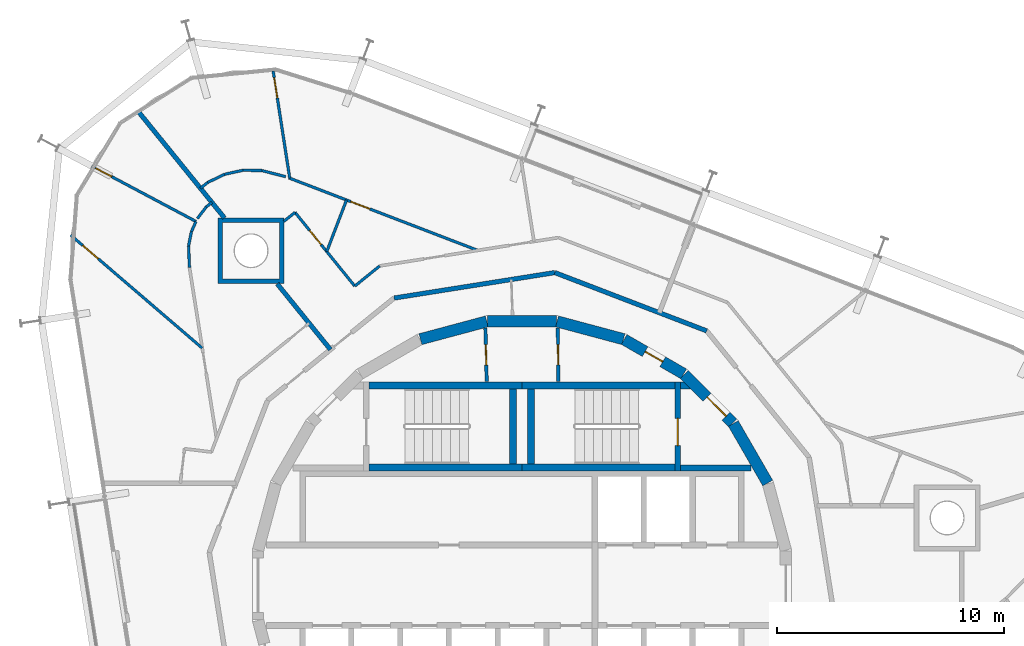
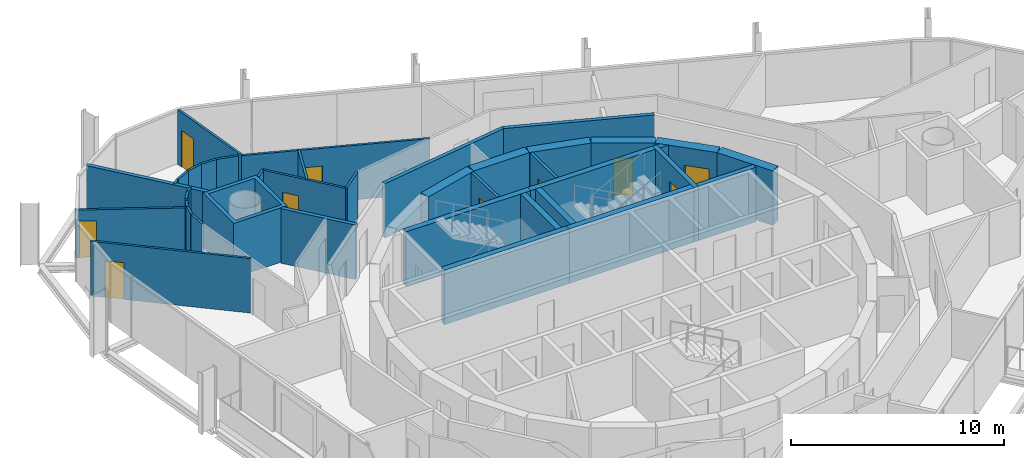
# One storey, part 15 of 17: 40 walls, 10 doors, 10 openings.
"""IFC4 building model written with IfcOpenShell, lengths in metres."""

from ifc_helpers import new_model, si_unit, direction, frame, frame_2d, origin, place, context, subcontext, project, spatial, polyline, rectangle, outline, extrude, material, layer, layer_set, type_object, element, fill, save


model = new_model("IFC4")

# Units and contexts
model_context = context("Model", 3, precision=1e-05, world=origin(), true_north=direction((0.0, 1.0)))
body_context = subcontext(model_context, "Body", "Model", "MODEL_VIEW")
ifc_project = project(units=[si_unit("LENGTHUNIT", "METRE"), si_unit("AREAUNIT", "SQUARE_METRE"), si_unit("VOLUMEUNIT", "CUBIC_METRE"), si_unit("PLANEANGLEUNIT", "RADIAN"), si_unit("MASSUNIT", "GRAM", prefix="KILO")], contexts=[model_context])

# Site, building, storey
site_placement = place(None, origin())
site = spatial("IfcSite", under=ifc_project, at=site_placement, CompositionType="ELEMENT")
building_placement = place(site_placement, origin())
building = spatial("IfcBuilding", under=site, at=building_placement, Name="Spindle Arch Residences", CompositionType="ELEMENT")
storey_placement = place(building_placement, frame((0.0, 0.0, 270.39990234375)))
storey = spatial("IfcBuildingStorey", under=building, at=storey_placement, Name="L69", CompositionType="ELEMENT", Elevation=270.39990234375)

# Wall
ifc_material_1 = material(Name="Concrete C50/60", Category="concrete")
ifc_layer_1 = layer(ifc_material_1, 0.5)
ifc_layer_set_1 = layer_set([ifc_layer_1], Name="Core outline wall 500")
wall_type_1 = type_object("IfcWallType", Name="Core outline wall 500", PredefinedType="SHEAR", material=ifc_layer_set_1)
wall_1_placement = place(storey_placement, frame((10.84521484375, 4.510498046875, 0.0), z_axis=(0.0, 0.0, 1.0), x_axis=(-0.500087131594, 0.865975092491, 0.0)))
element("IfcWall", 1, at=wall_1_placement, inside=storey, type_object=wall_type_1, Name="Core outline wall 8", PredefinedType="SHEAR", context=body_context, shape_type="SweptSolid", body=[
    extrude(rectangle(XDim=3.03271484375, YDim=0.5, at=frame_2d((1.516357421875, 0.0))), origin(), (0.0, 0.0, 1.0), 3.1201171875),
])

# Wall, opening, door
wall_2_placement = place(storey_placement, frame((9.30810546875, 7.163818359375, 0.0), z_axis=(0.0, 0.0, 1.0), x_axis=(-0.707106781187, 0.707106781187, 0.0)))
wall_2 = element("IfcWall", 2, at=wall_2_placement, inside=storey, type_object=wall_type_1, Name="Core outline wall 9", PredefinedType="SHEAR", context=body_context, shape_type="SweptSolid", body=[
    extrude(rectangle(XDim=3.032470703125, YDim=0.5, at=frame_2d((1.51611328125, 0.0))), origin(), (0.0, 0.0, 1.0), 3.1201171875),
])
opening_1_placement = place(wall_2_placement, frame((0.416259765625, 0.0, 0.0)))
opening_1 = element("IfcOpeningElement", 3, at=opening_1_placement, cuts=wall_2, Name="Opening R7A0-AD01", PredefinedType="OPENING", context=body_context, shape_type="SweptSolid", body=[
    extrude(rectangle(XDim=1.199951171875, YDim=2.10009765625, at=frame_2d((0.60009765625, 1.050048828125))), frame((0.0, 0.260009765625, 0.0), z_axis=(0.0, -1.0, 0.0), x_axis=(1.0, 0.0, 0.0)), (0.0, 0.0, 1.0), 0.52001953125),
])
ifc_material_2 = material(Name="Steel, fire-resisting door", Category="steel")
door_type_1 = type_object("IfcDoorType", Name="Stair airlock door 1200x2100", OperationType="SINGLE_SWING_LEFT", PredefinedType="DOOR", material=ifc_material_2)
door_1_placement = place(opening_1_placement, origin())
door_1 = element("IfcDoor", 4, at=door_1_placement, inside=storey, type_object=door_type_1, Name="Stair airlock door R7A0-AD01", OperationType="SINGLE_SWING_RIGHT", OverallHeight=2.10009765625, OverallWidth=1.199951171875, PredefinedType="DOOR", context=body_context, shape_type="SweptSolid", body=[
    extrude(rectangle(XDim=1.199951171875, YDim=2.10009765625, at=frame_2d((0.60009765625, 1.050048828125))), frame((0.0, 0.02490234375, 0.0), z_axis=(0.0, -1.0, 0.0), x_axis=(1.0, 0.0, 0.0)), (0.0, 0.0, 1.0), 0.050048828125),
])
fill(opening_1, door_1)

wall_3_placement = place(storey_placement, frame((7.13671875, 9.32861328125, 0.0), z_axis=(0.0, 0.0, 1.0), x_axis=(-0.865975092491, 0.500087131594, 0.0)))
wall_3 = element("IfcWall", 5, at=wall_3_placement, inside=storey, type_object=wall_type_1, Name="Core outline wall 10", PredefinedType="SHEAR", context=body_context, shape_type="SweptSolid", body=[
    extrude(rectangle(XDim=3.03271484375, YDim=0.5, at=frame_2d((1.516357421875, 0.0))), origin(), (0.0, 0.0, 1.0), 3.1201171875),
])
opening_2_placement = place(wall_3_placement, frame((1.06640625, 0.0, 0.0)))
opening_2 = element("IfcOpeningElement", 6, at=opening_2_placement, cuts=wall_3, Name="Opening R7A0-WD09", PredefinedType="OPENING", context=body_context, shape_type="SweptSolid", body=[
    extrude(rectangle(XDim=0.89990234375, YDim=2.10009765625, at=frame_2d((0.449951171875, 1.050048828125))), frame((0.0, 0.260009765625, 0.0), z_axis=(0.0, -1.0, 0.0), x_axis=(1.0, 0.0, 0.0)), (0.0, 0.0, 1.0), 0.52001953125),
])
ifc_material_3 = material(Name="Steel, fire-resisting door", Category="steel")
door_type_2 = type_object("IfcDoorType", Name="Service room door 900x2100", OperationType="SINGLE_SWING_LEFT", PredefinedType="DOOR", material=ifc_material_3)
door_2_placement = place(opening_2_placement, origin())
door_2 = element("IfcDoor", 7, at=door_2_placement, inside=storey, type_object=door_type_2, Name="Service room door R7A0-WD09", OperationType="SINGLE_SWING_LEFT", OverallHeight=2.10009765625, OverallWidth=0.89990234375, PredefinedType="DOOR", context=body_context, shape_type="SweptSolid", body=[
    extrude(rectangle(XDim=0.89990234375, YDim=2.10009765625, at=frame_2d((0.449951171875, 1.050048828125))), frame((0.0, 0.02490234375, 0.0), z_axis=(0.0, -1.0, 0.0), x_axis=(1.0, 0.0, 0.0)), (0.0, 0.0, 1.0), 0.050048828125),
])
fill(opening_2, door_2)

# Walls
for number, where, z_axis, x_axis, name in (
    (8, (4.479248046875, 10.858154296875, 0.0), (0.0, 0.0, 1.0), (-0.965948410781, 0.258734743916, 0.0), "Core outline wall 11"),
    (9, (1.516357421875, 11.647216796875, 0.0), (0.0, 0.0, 1.0), (-1.0, 0.0, 0.0), "Core outline wall 12"),
    (10, (-1.5498046875, 11.642822265625, 0.0), (0.0, 0.0, 1.0), (-0.965948410781, -0.258734743916, 0.0), "Core outline wall 13"),
):
    element("IfcWall", number, at=place(storey_placement, frame(where, z_axis=z_axis, x_axis=x_axis)), inside=storey, type_object=wall_type_1, Name=name, PredefinedType="SHEAR", context=body_context, shape_type="SweptSolid", body=[
        extrude(rectangle(XDim=3.03271484375, YDim=0.5, at=frame_2d((1.516357421875, 0.0))), origin(), (0.0, 0.0, 1.0), 3.1201171875),
    ])
ifc_material_4 = material(Name="Calcium silicate block, plastered")
ifc_layer_2 = layer(ifc_material_4, 0.199951171875)
ifc_layer_set_2 = layer_set([ifc_layer_2], Name="Corridor wall 200")
wall_type_2 = type_object("IfcWallType", Name="Corridor wall 200", PredefinedType="STANDARD", material=ifc_layer_set_2)
wall_4_placement = place(storey_placement, frame((8.154296875, 11.223388671875, 0.0), z_axis=(0.0, 0.0, 1.0), x_axis=(-0.93359073609, 0.358341090983, 0.0)))
element("IfcWall", 11, at=wall_4_placement, inside=storey, type_object=wall_type_2, Name="Corridor wall R7A0-W007", PredefinedType="STANDARD", context=body_context, shape_type="SweptSolid", body=[
    extrude(rectangle(XDim=7.180908203125, YDim=0.199951171875, at=frame_2d((3.59033203125, 0.0))), origin(), (0.0, 0.0, 1.0), 3.1201171875),
])
wall_5_placement = place(storey_placement, frame((1.4501953125, 13.796630859375, 0.0), z_axis=(0.0, 0.0, 1.0), x_axis=(-0.987690361611, -0.156421704315, 0.0)))
element("IfcWall", 12, at=wall_5_placement, inside=storey, type_object=wall_type_2, Name="Corridor wall R7A0-W008", PredefinedType="STANDARD", context=body_context, shape_type="SweptSolid", body=[
    extrude(rectangle(XDim=7.18115234375, YDim=0.199951171875, at=frame_2d((3.590576171875, 0.0))), origin(), (0.0, 0.0, 1.0), 3.1201171875),
])
ifc_material_5 = material(Name="Plasterboard on steel studs", Category="steel")
ifc_layer_3 = layer(ifc_material_5, 0.1201171875)
ifc_layer_set_3 = layer_set([ifc_layer_3], Name="Flat partition 120")
wall_type_3 = type_object("IfcWallType", Name="Flat partition 120", PredefinedType="PARTITIONING", material=ifc_layer_set_3)
wall_6_placement = place(storey_placement, frame((-6.274169921875, 14.092041015625, 0.0), z_axis=(0.0, 0.0, 1.0), x_axis=(-0.777144673245, -0.629321981855, 0.0)))
element("IfcWall", 13, at=wall_6_placement, inside=storey, type_object=wall_type_3, Name="Flat partition R7A0-W039", PredefinedType="PARTITIONING", context=body_context, shape_type="SweptSolid", body=[
    extrude(rectangle(XDim=1.418701171875, YDim=0.1201171875, at=frame_2d((0.70947265625, 0.0))), origin(), (0.0, 0.0, 1.0), 3.1201171875),
])

# Wall, opening, door
wall_7_placement = place(storey_placement, frame((-7.376708984375, 13.19921875, 0.0), z_axis=(0.0, 0.0, 1.0), x_axis=(-0.629382670352, 0.77709552454, 0.0)))
wall_7 = element("IfcWall", 14, at=wall_7_placement, inside=storey, type_object=wall_type_3, Name="Flat partition R7A0-W040", PredefinedType="PARTITIONING", context=body_context, shape_type="SweptSolid", body=[
    extrude(rectangle(XDim=4.188232421875, YDim=0.1201171875, at=frame_2d((2.09423828125, 0.0))), origin(), (0.0, 0.0, 1.0), 3.1201171875),
])
opening_3_placement = place(wall_7_placement, frame((2.364013671875, 0.0, 0.0)))
opening_3 = element("IfcOpeningElement", 15, at=opening_3_placement, cuts=wall_7, Name="Opening R7A0-BD02", PredefinedType="OPENING", context=body_context, shape_type="SweptSolid", body=[
    extrude(rectangle(XDim=0.800048828125, YDim=2.10009765625, at=frame_2d((0.39990234375, 1.050048828125))), frame((0.0, 0.070068359375, 0.0), z_axis=(0.0, -1.0, 0.0), x_axis=(1.0, 0.0, 0.0)), (0.0, 0.0, 1.0), 0.14013671875),
])
ifc_material_6 = material(Name="Timber door set", Category="wood")
door_type_3 = type_object("IfcDoorType", Name="Bathroom door 800x2100", OperationType="NOTDEFINED", PredefinedType="DOOR", material=ifc_material_6)
door_3_placement = place(opening_3_placement, origin())
door_3 = element("IfcDoor", 16, at=door_3_placement, inside=storey, type_object=door_type_3, Name="Bathroom door R7A0-BD02", OperationType="SINGLE_SWING_RIGHT", OverallHeight=2.10009765625, OverallWidth=0.800048828125, PredefinedType="DOOR", context=body_context, shape_type="SweptSolid", body=[
    extrude(rectangle(XDim=0.800048828125, YDim=2.10009765625, at=frame_2d((0.39990234375, 1.050048828125))), frame((0.0, 0.02490234375, 0.0), z_axis=(0.0, -1.0, 0.0), x_axis=(1.0, 0.0, 0.0)), (0.0, 0.0, 1.0), 0.050048828125),
])
fill(opening_3, door_3)

# Wall
wall_8_placement = place(storey_placement, frame((-10.0126953125, 16.453857421875, 0.0), z_axis=(0.0, 0.0, 1.0), x_axis=(-0.777001388062, -0.629498882406, 0.0)))
element("IfcWall", 17, at=wall_8_placement, inside=storey, type_object=wall_type_3, Name="Flat partition R7A0-W041", PredefinedType="PARTITIONING", context=body_context, shape_type="SweptSolid", body=[
    extrude(rectangle(XDim=0.630615234375, YDim=0.1201171875, at=frame_2d((0.3154296875, 0.0))), origin(), (0.0, 0.0, 1.0), 3.1201171875),
])

# Wall, opening, door
wall_9_placement = place(storey_placement, frame((-10.288818359375, 17.977783203125, 0.0), z_axis=(0.0, 0.0, 1.0), x_axis=(0.933579293595, -0.358370900844, 0.0)))
wall_9 = element("IfcWall", 18, at=wall_9_placement, inside=storey, type_object=wall_type_3, Name="Flat partition R7A0-W043", PredefinedType="PARTITIONING", context=body_context, shape_type="SweptSolid", body=[
    extrude(rectangle(XDim=8.931884765625, YDim=0.1201171875, at=frame_2d((4.4658203125, 0.0))), origin(), (0.0, 0.0, 1.0), 3.1201171875),
])
opening_4_placement = place(wall_9_placement, frame((2.93017578125, 0.0, 0.0)))
opening_4 = element("IfcOpeningElement", 19, at=opening_4_placement, cuts=wall_9, Name="Opening R7A0-ID09", PredefinedType="OPENING", context=body_context, shape_type="SweptSolid", body=[
    extrude(rectangle(XDim=0.89990234375, YDim=2.10009765625, at=frame_2d((0.449951171875, 1.050048828125))), frame((0.0, 0.070068359375, 0.0), z_axis=(0.0, -1.0, 0.0), x_axis=(1.0, 0.0, 0.0)), (0.0, 0.0, 1.0), 0.14013671875),
])
ifc_material_7 = material(Name="Timber door set", Category="wood")
door_type_4 = type_object("IfcDoorType", Name="Room door 900x2100", OperationType="NOTDEFINED", PredefinedType="DOOR", material=ifc_material_7)
door_4_placement = place(opening_4_placement, origin())
door_4 = element("IfcDoor", 20, at=door_4_placement, inside=storey, type_object=door_type_4, Name="Room door R7A0-ID09", OperationType="SINGLE_SWING_LEFT", OverallHeight=2.10009765625, OverallWidth=0.89990234375, PredefinedType="DOOR", context=body_context, shape_type="SweptSolid", body=[
    extrude(rectangle(XDim=0.89990234375, YDim=2.10009765625, at=frame_2d((0.449951171875, 1.050048828125))), frame((0.0, 0.02490234375, 0.0), z_axis=(0.0, -1.0, 0.0), x_axis=(1.0, 0.0, 0.0)), (0.0, 0.0, 1.0), 0.050048828125),
])
fill(opening_4, door_4)

wall_10_placement = place(storey_placement, frame((-10.977294921875, 22.690673828125, 0.0), z_axis=(0.0, 0.0, 1.0), x_axis=(0.152888983102, -0.988243370252, 0.0)))
wall_10 = element("IfcWall", 21, at=wall_10_placement, inside=storey, type_object=wall_type_3, Name="Flat partition R7A0-W044", PredefinedType="PARTITIONING", context=body_context, shape_type="SweptSolid", body=[
    extrude(rectangle(XDim=4.78564453125, YDim=0.1201171875, at=frame_2d((2.392822265625, 0.0))), origin(), (0.0, 0.0, 1.0), 3.1201171875),
])
opening_5_placement = place(wall_10_placement, frame((0.300048828125, 0.0, 0.0)))
opening_5 = element("IfcOpeningElement", 22, at=opening_5_placement, cuts=wall_10, Name="Opening R7A0-ID08", PredefinedType="OPENING", context=body_context, shape_type="SweptSolid", body=[
    extrude(rectangle(XDim=0.89990234375, YDim=2.10009765625, at=frame_2d((0.449951171875, 1.050048828125))), frame((0.0, 0.070068359375, 0.0), z_axis=(0.0, -1.0, 0.0), x_axis=(1.0, 0.0, 0.0)), (0.0, 0.0, 1.0), 0.14013671875),
])
door_5_placement = place(opening_5_placement, origin())
door_5 = element("IfcDoor", 23, at=door_5_placement, inside=storey, type_object=door_type_4, Name="Room door R7A0-ID08", OperationType="SINGLE_SWING_RIGHT", OverallHeight=2.10009765625, OverallWidth=0.89990234375, PredefinedType="DOOR", context=body_context, shape_type="SweptSolid", body=[
    extrude(rectangle(XDim=0.89990234375, YDim=2.10009765625, at=frame_2d((0.449951171875, 1.050048828125))), frame((0.0, 0.02490234375, 0.0), z_axis=(0.0, -1.0, 0.0), x_axis=(1.0, 0.0, 0.0)), (0.0, 0.0, 1.0), 0.050048828125),
])
fill(opening_5, door_5)

# Walls
wall_11_placement = place(storey_placement, frame((-7.73974609375, 16.99951171875, 0.0), z_axis=(0.0, 0.0, 1.0), x_axis=(-0.358394723652, -0.93357014844, 0.0)))
element("IfcWall", 24, at=wall_11_placement, inside=storey, type_object=wall_type_3, Name="Flat partition R7A0-W045", PredefinedType="PARTITIONING", context=body_context, shape_type="SweptSolid", body=[
    extrude(rectangle(XDim=2.43603515625, YDim=0.1201171875, at=frame_2d((1.218017578125, 0.0))), origin(), (0.0, 0.0, 1.0), 3.1201171875),
])
wall_12_placement = place(storey_placement, frame((-10.423583984375, 18.029541015625, 0.0), z_axis=(0.0, 0.0, 1.0), x_axis=(-0.968874161395, 0.247553750489, 0.0)))
element("IfcWall", 25, at=wall_12_placement, inside=storey, type_object=wall_type_3, Name="Flat partition R7A0-W046", PredefinedType="PARTITIONING", context=body_context, shape_type="SweptSolid", body=[
    extrude(rectangle(XDim=1.0869140625, YDim=0.1201171875, at=frame_2d((0.54345703125, 0.0))), origin(), (0.0, 0.0, 1.0), 3.1201171875),
])
wall_13_placement = place(storey_placement, frame((-11.4765625, 18.298583984375, 0.0), z_axis=(0.0, 0.0, 1.0), x_axis=(-0.999848939146, 0.017380992165, 0.0)))
element("IfcWall", 26, at=wall_13_placement, inside=storey, type_object=wall_type_3, Name="Flat partition R7A0-W047", PredefinedType="PARTITIONING", context=body_context, shape_type="SweptSolid", body=[
    extrude(rectangle(XDim=0.828857421875, YDim=0.1201171875, at=frame_2d((0.41455078125, 0.0))), origin(), (0.0, 0.0, 1.0), 3.1201171875),
])
wall_14_placement = place(storey_placement, frame((-12.30517578125, 18.31298828125, 0.0), z_axis=(0.0, 0.0, 1.0), x_axis=(-0.976949932909, -0.21346856581, 0.0)))
element("IfcWall", 27, at=wall_14_placement, inside=storey, type_object=wall_type_3, Name="Flat partition R7A0-W048", PredefinedType="PARTITIONING", context=body_context, shape_type="SweptSolid", body=[
    extrude(rectangle(XDim=0.8291015625, YDim=0.1201171875, at=frame_2d((0.41455078125, 0.0))), origin(), (0.0, 0.0, 1.0), 3.1201171875),
])
wall_15_placement = place(storey_placement, frame((-13.115234375, 18.135986328125, 0.0), z_axis=(0.0, 0.0, 1.0), x_axis=(-0.901385111422, -0.43301833784, 0.0)))
element("IfcWall", 28, at=wall_15_placement, inside=storey, type_object=wall_type_3, Name="Flat partition R7A0-W049", PredefinedType="PARTITIONING", context=body_context, shape_type="SweptSolid", body=[
    extrude(rectangle(XDim=0.828857421875, YDim=0.1201171875, at=frame_2d((0.41455078125, 0.0))), origin(), (0.0, 0.0, 1.0), 3.1201171875),
])
wall_16_placement = place(storey_placement, frame((-13.8623046875, 17.777099609375, 0.0), z_axis=(0.0, 0.0, 1.0), x_axis=(-0.776888119785, -0.629638665694, 0.0)))
element("IfcWall", 29, at=wall_16_placement, inside=storey, type_object=wall_type_3, Name="Flat partition R7A0-W050", PredefinedType="PARTITIONING", context=body_context, shape_type="SweptSolid", body=[
    extrude(rectangle(XDim=0.41455078125, YDim=0.1201171875, at=frame_2d((0.207275390625, 0.0))), origin(), (0.0, 0.0, 1.0), 3.1201171875),
])
wall_17_placement = place(storey_placement, frame((-14.322509765625, 16.184326171875, 0.0), z_axis=(0.0, 0.0, 1.0), x_axis=(0.611198506308, 0.791477343887, 0.0)))
element("IfcWall", 30, at=wall_17_placement, inside=storey, type_object=wall_type_3, Name="Flat partition R7A0-W055", PredefinedType="PARTITIONING", context=body_context, shape_type="SweptSolid", body=[
    extrude(rectangle(XDim=0.641845703125, YDim=0.1201171875, at=frame_2d((0.32080078125, 0.0))), origin(), (0.0, 0.0, 1.0), 3.1201171875),
])
wall_18_placement = place(storey_placement, frame((-13.93017578125, 16.6923828125, 0.0), z_axis=(0.0, 0.0, 1.0), x_axis=(0.776695397137, 0.62987638475, 0.0)))
element("IfcWall", 31, at=wall_18_placement, inside=storey, type_object=wall_type_3, Name="Flat partition R7A0-W056", PredefinedType="PARTITIONING", context=body_context, shape_type="SweptSolid", body=[
    extrude(rectangle(XDim=0.321044921875, YDim=0.1201171875, at=frame_2d((0.16064453125, 0.0))), origin(), (0.0, 0.0, 1.0), 3.1201171875),
])
wall_19_placement = place(storey_placement, frame((-14.382080078125, 16.052490234375, 0.0), z_axis=(0.0, 0.0, 1.0), x_axis=(-0.412099912529, -0.911138662385, 0.0)))
element("IfcWall", 32, at=wall_19_placement, inside=storey, type_object=wall_type_3, Name="Flat partition R7A0-W058", PredefinedType="PARTITIONING", context=body_context, shape_type="SweptSolid", body=[
    extrude(rectangle(XDim=0.4970703125, YDim=0.1201171875, at=frame_2d((0.24853515625, 0.0))), origin(), (0.0, 0.0, 1.0), 3.1201171875),
])
wall_20_placement = place(storey_placement, frame((-14.5869140625, 15.599609375, 0.0), z_axis=(0.0, 0.0, 1.0), x_axis=(-0.190920556667, -0.98160549155, 0.0)))
element("IfcWall", 33, at=wall_20_placement, inside=storey, type_object=wall_type_3, Name="Flat partition R7A0-W059", PredefinedType="PARTITIONING", context=body_context, shape_type="SweptSolid", body=[
    extrude(rectangle(XDim=0.641845703125, YDim=0.1201171875, at=frame_2d((0.32080078125, 0.0))), origin(), (0.0, 0.0, 1.0), 3.1201171875),
])
wall_21_placement = place(storey_placement, frame((-14.70947265625, 14.969482421875, 0.0), z_axis=(0.0, 0.0, 1.0), x_axis=(0.040729848009, -0.999170195453, 0.0)))
element("IfcWall", 34, at=wall_21_placement, inside=storey, type_object=wall_type_3, Name="Flat partition R7A0-W060", PredefinedType="PARTITIONING", context=body_context, shape_type="SweptSolid", body=[
    extrude(rectangle(XDim=0.947021484375, YDim=0.1201171875, at=frame_2d((0.4736328125, 0.0))), origin(), (0.0, 0.0, 1.0), 3.1201171875),
])

# Wall, opening, door
wall_22_placement = place(storey_placement, frame((-19.9130859375, 15.450927734375, 0.0), z_axis=(0.0, 0.0, 1.0), x_axis=(0.758623462992, -0.6515293097, 0.0)))
wall_22 = element("IfcWall", 35, at=wall_22_placement, inside=storey, type_object=wall_type_3, Name="Flat partition R7A0-W062", PredefinedType="PARTITIONING", context=body_context, shape_type="SweptSolid", body=[
    extrude(rectangle(XDim=7.65283203125, YDim=0.1201171875, at=frame_2d((3.826416015625, 0.0))), origin(), (0.0, 0.0, 1.0), 3.1201171875),
])
opening_6_placement = place(wall_22_placement, frame((0.699951171875, 0.0, 0.0)))
opening_6 = element("IfcOpeningElement", 36, at=opening_6_placement, cuts=wall_22, Name="Opening R7A0-ID12", PredefinedType="OPENING", context=body_context, shape_type="SweptSolid", body=[
    extrude(rectangle(XDim=0.89990234375, YDim=2.10009765625, at=frame_2d((0.449951171875, 1.050048828125))), frame((0.0, 0.070068359375, 0.0), z_axis=(0.0, -1.0, 0.0), x_axis=(1.0, 0.0, 0.0)), (0.0, 0.0, 1.0), 0.14013671875),
])
door_6_placement = place(opening_6_placement, origin())
door_6 = element("IfcDoor", 37, at=door_6_placement, inside=storey, type_object=door_type_4, Name="Room door R7A0-ID12", OperationType="SINGLE_SWING_LEFT", OverallHeight=2.10009765625, OverallWidth=0.89990234375, PredefinedType="DOOR", context=body_context, shape_type="SweptSolid", body=[
    extrude(rectangle(XDim=0.89990234375, YDim=2.10009765625, at=frame_2d((0.449951171875, 1.050048828125))), frame((0.0, 0.02490234375, 0.0), z_axis=(0.0, -1.0, 0.0), x_axis=(1.0, 0.0, 0.0)), (0.0, 0.0, 1.0), 0.050048828125),
])
fill(opening_6, door_6)

ifc_material_8 = material(Name="Plasterboard on steel studs", Category="steel")
ifc_layer_4 = layer(ifc_material_8, 0.1201171875)
ifc_layer_set_4 = layer_set([ifc_layer_4], Name="Flat partition 120 under beam 2730")
wall_type_4 = type_object("IfcWallType", Name="Flat partition 120 under beam 2730", PredefinedType="PARTITIONING", material=ifc_layer_set_4)
wall_23_placement = place(storey_placement, frame((-18.98291015625, 18.498779296875, 0.0), z_axis=(0.0, 0.0, 1.0), x_axis=(0.882948840489, -0.469469216328, 0.0)))
wall_23 = element("IfcWall", 38, at=wall_23_placement, inside=storey, type_object=wall_type_4, Name="Flat partition R7A0-W057", PredefinedType="PARTITIONING", context=body_context, shape_type="SweptSolid", body=[
    extrude(rectangle(XDim=5.210693359375, YDim=0.1201171875, at=frame_2d((2.60546875, 0.0))), origin(), (0.0, 0.0, 1.0), 2.72998046875),
])
opening_7_placement = place(wall_23_placement, frame((0.199951171875, 0.0, 0.0)))
opening_7 = element("IfcOpeningElement", 39, at=opening_7_placement, cuts=wall_23, Name="Opening R7A0-BD03", PredefinedType="OPENING", context=body_context, shape_type="SweptSolid", body=[
    extrude(rectangle(XDim=0.800048828125, YDim=2.10009765625, at=frame_2d((0.39990234375, 1.050048828125))), frame((0.0, 0.070068359375, 0.0), z_axis=(0.0, -1.0, 0.0), x_axis=(1.0, 0.0, 0.0)), (0.0, 0.0, 1.0), 0.14013671875),
])
door_7_placement = place(opening_7_placement, origin())
door_7 = element("IfcDoor", 40, at=door_7_placement, inside=storey, type_object=door_type_3, Name="Bathroom door R7A0-BD03", OperationType="SINGLE_SWING_LEFT", OverallHeight=2.10009765625, OverallWidth=0.800048828125, PredefinedType="DOOR", context=body_context, shape_type="SweptSolid", body=[
    extrude(rectangle(XDim=0.800048828125, YDim=2.10009765625, at=frame_2d((0.39990234375, 1.050048828125))), frame((0.0, 0.02490234375, 0.0), z_axis=(0.0, -1.0, 0.0), x_axis=(1.0, 0.0, 0.0)), (0.0, 0.0, 1.0), 0.050048828125),
])
fill(opening_7, door_7)

# Walls
ifc_material_9 = material(Name="Calcium silicate block, plastered")
ifc_layer_5 = layer(ifc_material_9, 0.199951171875)
ifc_layer_set_5 = layer_set([ifc_layer_5], Name="Flat party wall 200")
wall_type_5 = type_object("IfcWallType", Name="Flat party wall 200", PredefinedType="STANDARD", material=ifc_layer_set_5)
wall_24_placement = place(storey_placement, frame((-10.796142578125, 13.298828125, 0.0), z_axis=(0.0, 0.0, 1.0), x_axis=(0.629290499381, -0.777170166301, 0.0)))
element("IfcWall", 41, at=wall_24_placement, inside=storey, type_object=wall_type_5, Name="Flat party wall R7A0-W025", PredefinedType="STANDARD", context=body_context, shape_type="SweptSolid", body=[
    extrude(rectangle(XDim=3.7294921875, YDim=0.199951171875, at=frame_2d((1.86474609375, 0.0))), origin(), (0.0, 0.0, 1.0), 3.1201171875),
])
wall_25_placement = place(storey_placement, frame((-16.953369140625, 20.935546875, 0.0), z_axis=(0.0, 0.0, 1.0), x_axis=(0.629331057166, -0.777137324085, 0.0)))
element("IfcWall", 42, at=wall_25_placement, inside=storey, type_object=wall_type_5, Name="Flat party wall R7A0-W026", PredefinedType="STANDARD", context=body_context, shape_type="SweptSolid", body=[
    extrude(rectangle(XDim=6.080078125, YDim=0.199951171875, at=frame_2d((3.0400390625, 0.0))), origin(), (0.0, 0.0, 1.0), 3.1201171875),
])
ifc_material_10 = material(Name="Calcium silicate block, plastered")
ifc_layer_6 = layer(ifc_material_10, 0.199951171875)
ifc_layer_set_6 = layer_set([ifc_layer_6], Name="Mega-column casing wall 200")
wall_type_6 = type_object("IfcWallType", Name="Mega-column casing wall 200", PredefinedType="STANDARD", material=ifc_layer_set_6)
wall_26_placement = place(storey_placement, origin())
element("IfcWall", 43, at=wall_26_placement, inside=storey, type_object=wall_type_6, Name="Mega-column casing wall R7A0-WC02", PredefinedType="STANDARD", context=body_context, shape_type="SweptSolid", body=[
    extrude(outline(polyline([(-10.502685546875, 16.21044921875), (-10.502685546875, 13.310546875), (-13.40283203125, 13.310546875), (-13.40283203125, 16.21044921875), (-10.502685546875, 16.21044921875)]), holes=[polyline([(-13.202880859375, 13.510498046875), (-10.702880859375, 13.510498046875), (-10.702880859375, 16.010498046875), (-13.202880859375, 16.010498046875), (-13.202880859375, 13.510498046875)])]), origin(), (0.0, 0.0, 1.0), 3.1201171875),
])

# Wall, opening, door
ifc_material_11 = material(Name="Concrete C25/30", Category="concrete")
ifc_layer_7 = layer(ifc_material_11, 0.14990234375)
ifc_layer_set_7 = layer_set([ifc_layer_7], Name="Service room partition 150")
wall_type_7 = type_object("IfcWallType", Name="Service room partition 150", PredefinedType="PARTITIONING", material=ifc_layer_set_7)
wall_27_placement = place(storey_placement, frame((1.585693359375, 11.3544921875, 0.0), z_axis=(0.0, 0.0, 1.0), x_axis=(0.007227482881, -0.999973881405, 0.0)))
wall_27 = element("IfcWall", 44, at=wall_27_placement, inside=storey, type_object=wall_type_7, Name="Core service room partition", PredefinedType="PARTITIONING", context=body_context, shape_type="SweptSolid", body=[
    extrude(rectangle(XDim=2.364501953125, YDim=0.14990234375, at=frame_2d((1.18212890625, 0.0))), origin(), (0.0, 0.0, 1.0), 3.1201171875),
])
opening_8_placement = place(wall_27_placement, frame((0.732177734375, 0.0, 0.0)))
opening_8 = element("IfcOpeningElement", 45, at=opening_8_placement, cuts=wall_27, Name="Opening R7A0-WD05", PredefinedType="OPENING", context=body_context, shape_type="SweptSolid", body=[
    extrude(rectangle(XDim=0.89990234375, YDim=2.10009765625, at=frame_2d((0.449951171875, 1.050048828125))), frame((0.0, 0.0849609375, 0.0), z_axis=(0.0, -1.0, 0.0), x_axis=(1.0, 0.0, 0.0)), (0.0, 0.0, 1.0), 0.169921875),
])
door_8_placement = place(opening_8_placement, origin())
door_8 = element("IfcDoor", 46, at=door_8_placement, inside=storey, type_object=door_type_2, Name="Service room door R7A0-WD05", OperationType="SINGLE_SWING_LEFT", OverallHeight=2.10009765625, OverallWidth=0.89990234375, PredefinedType="DOOR", context=body_context, shape_type="SweptSolid", body=[
    extrude(rectangle(XDim=0.89990234375, YDim=2.10009765625, at=frame_2d((0.449951171875, 1.050048828125))), frame((0.0, 0.02490234375, 0.0), z_axis=(0.0, -1.0, 0.0), x_axis=(1.0, 0.0, 0.0)), (0.0, 0.0, 1.0), 0.050048828125),
])
fill(opening_8, door_8)

wall_28_placement = place(storey_placement, frame((-1.555419921875, 8.989990234375, 0.0), z_axis=(0.0, 0.0, 1.0), x_axis=(-0.024125549686, 0.999708936567, 0.0)))
wall_28 = element("IfcWall", 47, at=wall_28_placement, inside=storey, type_object=wall_type_7, Name="Core service room partition", PredefinedType="PARTITIONING", context=body_context, shape_type="SweptSolid", body=[
    extrude(rectangle(XDim=2.35791015625, YDim=0.14990234375, at=frame_2d((1.178955078125, 0.0))), origin(), (0.0, 0.0, 1.0), 3.1201171875),
])
opening_9_placement = place(wall_28_placement, frame((0.72900390625, 0.0, 0.0)))
opening_9 = element("IfcOpeningElement", 48, at=opening_9_placement, cuts=wall_28, Name="Opening R7A0-WD06", PredefinedType="OPENING", context=body_context, shape_type="SweptSolid", body=[
    extrude(rectangle(XDim=0.89990234375, YDim=2.10009765625, at=frame_2d((0.449951171875, 1.050048828125))), frame((0.0, 0.0849609375, 0.0), z_axis=(0.0, -1.0, 0.0), x_axis=(1.0, 0.0, 0.0)), (0.0, 0.0, 1.0), 0.169921875),
])
door_9_placement = place(opening_9_placement, origin())
door_9 = element("IfcDoor", 49, at=door_9_placement, inside=storey, type_object=door_type_2, Name="Service room door R7A0-WD06", OperationType="SINGLE_SWING_RIGHT", OverallHeight=2.10009765625, OverallWidth=0.89990234375, PredefinedType="DOOR", context=body_context, shape_type="SweptSolid", body=[
    extrude(rectangle(XDim=0.89990234375, YDim=2.10009765625, at=frame_2d((0.449951171875, 1.050048828125))), frame((0.0, 0.02490234375, 0.0), z_axis=(0.0, -1.0, 0.0), x_axis=(1.0, 0.0, 0.0)), (0.0, 0.0, 1.0), 0.050048828125),
])
fill(opening_9, door_9)

# Walls
ifc_material_12 = material(Name="Concrete C40/50", Category="concrete")
ifc_layer_8 = layer(ifc_material_12, 0.25)
ifc_layer_set_8 = layer_set([ifc_layer_8], Name="Stair airlock wall 250")
wall_type_8 = type_object("IfcWallType", Name="Stair airlock wall 250", PredefinedType="SHEAR", material=ifc_layer_set_8)
wall_29_placement = place(storey_placement, frame((7.0, 5.175048828125, 0.0), z_axis=(0.0, 0.0, 1.0), x_axis=(1.0, 0.0, 0.0)))
element("IfcWall", 50, at=wall_29_placement, inside=storey, type_object=wall_type_8, Name="Stair ST-1 airlock wall S", PredefinedType="SHEAR", context=body_context, shape_type="SweptSolid", body=[
    extrude(rectangle(XDim=3.10009765625, YDim=0.25, at=frame_2d((1.550048828125, 0.0))), origin(), (0.0, 0.0, 1.0), 3.1201171875),
])
ifc_material_13 = material(Name="Concrete C40/50", Category="concrete")
wall_type_9 = type_object("IfcWallType", Name="Stair airlock wall profile", PredefinedType="SHEAR", material=ifc_material_13)
wall_30_placement = place(storey_placement, origin())
element("IfcWall", 51, at=wall_30_placement, inside=storey, type_object=wall_type_9, Name="Stair ST-1 airlock wall N", PredefinedType="SHEAR", context=body_context, shape_type="SweptSolid", body=[
    extrude(outline(polyline([(7.4482421875, 8.669921875), (7.0, 8.669921875), (7.0, 8.969970703125), (7.148193359375, 8.969970703125), (7.4482421875, 8.669921875)])), origin(), (0.0, 0.0, 1.0), 3.1201171875),
])

# Wall, opening, door
ifc_material_14 = material(Name="Concrete C50/60", Category="concrete")
ifc_layer_9 = layer(ifc_material_14, 0.25)
ifc_layer_set_9 = layer_set([ifc_layer_9], Name="Stair enclosure wall 250")
wall_type_10 = type_object("IfcWallType", Name="Stair enclosure wall 250", PredefinedType="SHEAR", material=ifc_layer_set_9)
wall_31_placement = place(storey_placement, frame((6.875, 5.050048828125, 0.0), z_axis=(0.0, 0.0, 1.0), x_axis=(0.0, 1.0, 0.0)))
wall_31 = element("IfcWall", 52, at=wall_31_placement, inside=storey, type_object=wall_type_10, Name="Stair ST-1 door wall", PredefinedType="SHEAR", context=body_context, shape_type="SweptSolid", body=[
    extrude(rectangle(XDim=3.919921875, YDim=0.25, at=frame_2d((1.9599609375, 0.0))), origin(), (0.0, 0.0, 1.0), 3.1201171875),
])
opening_10_placement = place(wall_31_placement, frame((1.110107421875, 0.0, 0.0)))
opening_10 = element("IfcOpeningElement", 53, at=opening_10_placement, cuts=wall_31, Name="Opening R7A0-SD01", PredefinedType="OPENING", context=body_context, shape_type="SweptSolid", body=[
    extrude(rectangle(XDim=1.199951171875, YDim=2.10009765625, at=frame_2d((0.60009765625, 1.050048828125))), frame((0.0, 0.135009765625, 0.0), z_axis=(0.0, -1.0, 0.0), x_axis=(1.0, 0.0, 0.0)), (0.0, 0.0, 1.0), 0.27001953125),
])
ifc_material_15 = material(Name="Steel, fire-resisting door", Category="steel")
door_type_5 = type_object("IfcDoorType", Name="Stair door 1200x2100", OperationType="SINGLE_SWING_RIGHT", PredefinedType="DOOR", material=ifc_material_15)
door_10_placement = place(opening_10_placement, origin())
door_10 = element("IfcDoor", 54, at=door_10_placement, inside=storey, type_object=door_type_5, Name="Stair door R7A0-SD01", OperationType="SINGLE_SWING_LEFT", OverallHeight=2.10009765625, OverallWidth=1.199951171875, PredefinedType="DOOR", context=body_context, shape_type="SweptSolid", body=[
    extrude(rectangle(XDim=1.199951171875, YDim=2.10009765625, at=frame_2d((0.60009765625, 1.050048828125))), frame((0.0, 0.02490234375, 0.0), z_axis=(0.0, -1.0, 0.0), x_axis=(1.0, 0.0, 0.0)), (0.0, 0.0, 1.0), 0.050048828125),
])
fill(opening_10, door_10)

# Walls
ifc_material_16 = material(Name="Concrete C50/60", Category="concrete")
ifc_layer_10 = layer(ifc_material_16, 0.300048828125)
ifc_layer_set_10 = layer_set([ifc_layer_10], Name="Stair enclosure wall 300")
wall_type_11 = type_object("IfcWallType", Name="Stair enclosure wall 300", PredefinedType="SHEAR", material=ifc_layer_set_10)
for number, where, z_axis, x_axis, name in (
    (55, (0.0, 5.199951171875, 0.0), (0.0, 0.0, 1.0), (1.0, 0.0, 0.0), "Stair ST-1 enclosure wall S"),
    (56, (0.0, 8.820068359375, 0.0), (0.0, 0.0, 1.0), (1.0, 0.0, 0.0), "Stair ST-1 enclosure wall N"),
):
    element("IfcWall", number, at=place(storey_placement, frame(where, z_axis=z_axis, x_axis=x_axis)), inside=storey, type_object=wall_type_11, Name=name, PredefinedType="SHEAR", context=body_context, shape_type="SweptSolid", body=[
        extrude(rectangle(XDim=6.75, YDim=0.300048828125, at=frame_2d((3.375, 0.0))), origin(), (0.0, 0.0, 1.0), 3.1201171875),
    ])
wall_32_placement = place(storey_placement, frame((0.39990234375, 5.35009765625, 0.0), z_axis=(0.0, 0.0, 1.0), x_axis=(0.0, 1.0, 0.0)))
element("IfcWall", 57, at=wall_32_placement, inside=storey, type_object=wall_type_11, Name="Stair ST-1 enclosure wall F", PredefinedType="SHEAR", context=body_context, shape_type="SweptSolid", body=[
    extrude(rectangle(XDim=3.31982421875, YDim=0.300048828125, at=frame_2d((1.659912109375, 0.0))), origin(), (0.0, 0.0, 1.0), 3.1201171875),
])
for number, where, z_axis, x_axis, name in (
    (58, (-6.75, 5.199951171875, 0.0), (0.0, 0.0, 1.0), (1.0, 0.0, 0.0), "Stair ST-2 enclosure wall S"),
    (59, (-6.75, 8.820068359375, 0.0), (0.0, 0.0, 1.0), (1.0, 0.0, 0.0), "Stair ST-2 enclosure wall N"),
):
    element("IfcWall", number, at=place(storey_placement, frame(where, z_axis=z_axis, x_axis=x_axis)), inside=storey, type_object=wall_type_11, Name=name, PredefinedType="SHEAR", context=body_context, shape_type="SweptSolid", body=[
        extrude(rectangle(XDim=6.75, YDim=0.300048828125, at=frame_2d((3.375, 0.0))), origin(), (0.0, 0.0, 1.0), 3.1201171875),
    ])
wall_33_placement = place(storey_placement, frame((-0.39990234375, 5.35009765625, 0.0), z_axis=(0.0, 0.0, 1.0), x_axis=(0.0, 1.0, 0.0)))
element("IfcWall", 60, at=wall_33_placement, inside=storey, type_object=wall_type_11, Name="Stair ST-2 enclosure wall F", PredefinedType="SHEAR", context=body_context, shape_type="SweptSolid", body=[
    extrude(rectangle(XDim=3.31982421875, YDim=0.300048828125, at=frame_2d((1.659912109375, 0.0))), origin(), (0.0, 0.0, 1.0), 3.1201171875),
])

save(model, "model.ifc")
